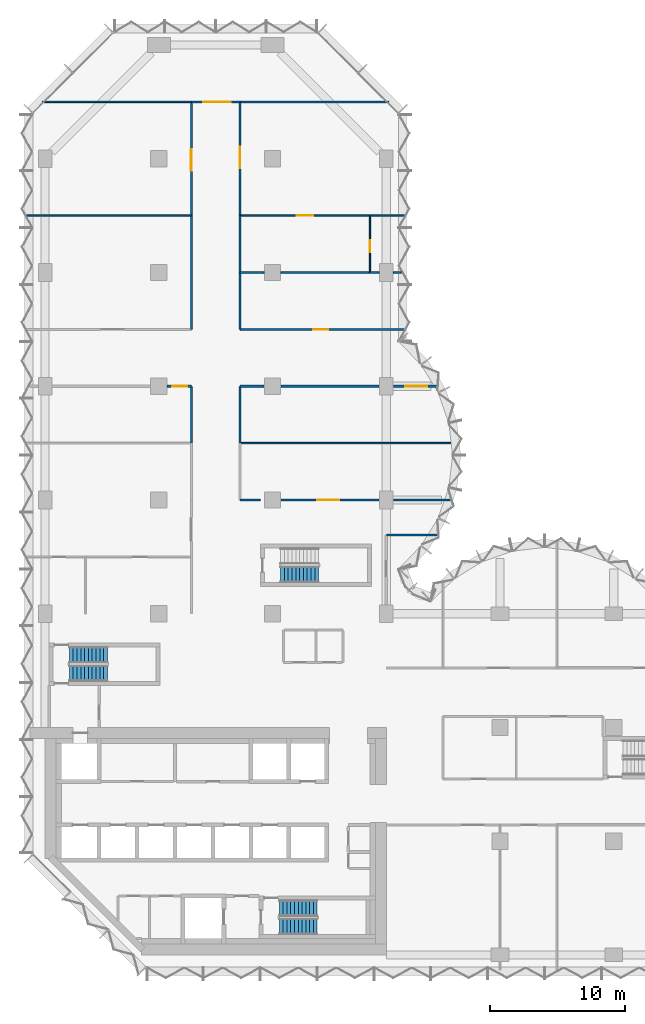
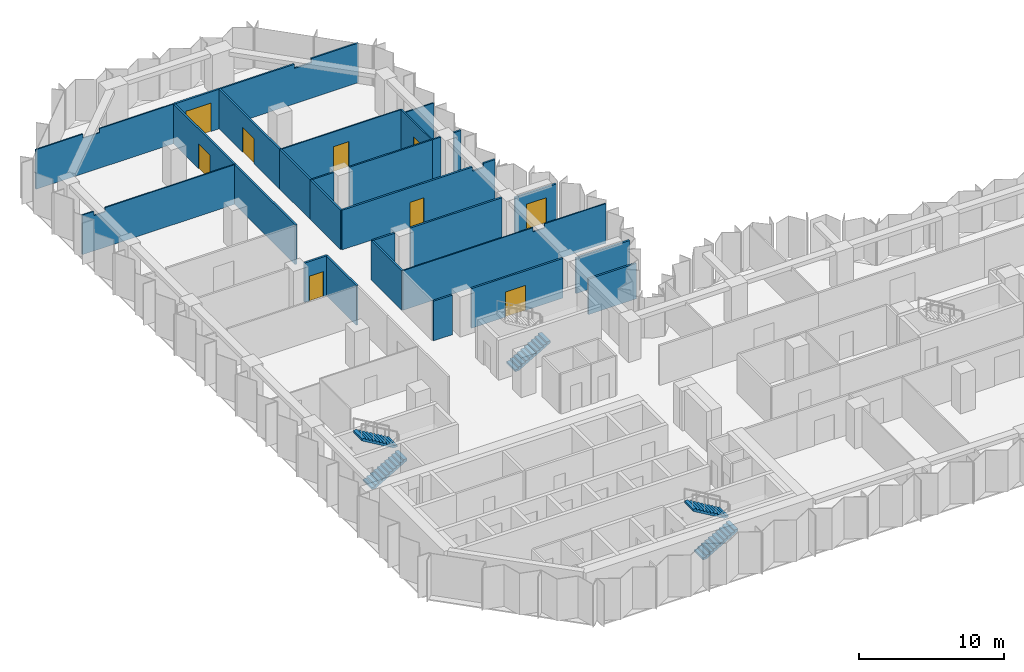
# One storey, part 10 of 13: 28 walls, 9 doors, 5 stair flights, 9 openings, 3 elements without a shape of their own.
"""IFC4 building model written with IfcOpenShell, lengths in metres."""

from ifc_helpers import new_model, si_unit, direction, frame, frame_2d, origin, place, context, subcontext, project, spatial, polyline, rectangle, outline, extrude, material, layer, layer_set, type_object, element, fill, aggregate, save


model = new_model("IFC4")

# Units and contexts
model_context = context("Model", 3, precision=1e-05, world=origin(), true_north=direction((0.0, 1.0)))
body_context = subcontext(model_context, "Body", "Model", "MODEL_VIEW")
ifc_project = project(units=[si_unit("LENGTHUNIT", "METRE"), si_unit("AREAUNIT", "SQUARE_METRE"), si_unit("VOLUMEUNIT", "CUBIC_METRE"), si_unit("PLANEANGLEUNIT", "RADIAN"), si_unit("MASSUNIT", "GRAM", prefix="KILO")], contexts=[model_context])

# Site, building, storey
site_placement = place(None, origin())
site = spatial("IfcSite", under=ifc_project, at=site_placement, CompositionType="ELEMENT")
building_placement = place(site_placement, origin())
building = spatial("IfcBuilding", under=site, at=building_placement, Name="Brevane Broadcast Tower", CompositionType="ELEMENT")
storey_placement = place(building_placement, frame((0.0, 0.0, 98.89990234375)))
storey = spatial("IfcBuildingStorey", under=building, at=storey_placement, Name="L23", CompositionType="ELEMENT", Elevation=98.89990234375)

# Walls
ifc_material_1 = material(Name="Gypsum board partition")
ifc_layer_1 = layer(ifc_material_1, 0.10009765625)
ifc_layer_set_1 = layer_set([ifc_layer_1], Name="PARTITION 100 STUD")
wall_type_1 = type_object("IfcWallType", Name="PARTITION 100 STUD", PredefinedType="PARTITIONING", material=ifc_layer_set_1)
wall_1_placement = place(storey_placement, frame((10.800048828125, 63.0, 0.0), z_axis=(0.0, 0.0, 1.0), x_axis=(-1.0, 0.0, 0.0)))
element("IfcWall", 1, at=wall_1_placement, inside=storey, type_object=wall_type_1, Name="Partition G06-046", PredefinedType="PARTITIONING", context=body_context, shape_type="SweptSolid", body=[
    extrude(outline(polyline([(0.0, 0.0), (11.0, 0.0), (11.0, 3.330078125), (7.265625, 3.330078125), (7.263671875, 2.97998046875), (5.936279296875, 2.97998046875), (5.934326171875, 3.330078125), (0.0, 3.330078125), (0.0, 0.0)])), frame((0.0, 0.050048828125, 0.0), z_axis=(0.0, -1.0, 0.0), x_axis=(1.0, 0.0, 0.0)), (0.0, 0.0, 1.0), 0.10009765625),
])
wall_2_placement = place(storey_placement, frame((-1.364990234375, 54.60009765625, 0.0), z_axis=(0.0, 0.0, 1.0), x_axis=(1.0, 0.0, 0.0)))
element("IfcWall", 2, at=wall_2_placement, inside=storey, type_object=wall_type_1, Name="Partition G06-056", PredefinedType="PARTITIONING", context=body_context, shape_type="SweptSolid", body=[
    extrude(outline(polyline([(0.0, 0.0), (12.1650390625, 0.0), (12.1650390625, 3.330078125), (1.81494140625, 3.330078125), (1.81298828125, 2.97998046875), (0.9169921875, 2.97998046875), (0.9150390625, 3.330078125), (0.264892578125, 3.330078125), (0.0, 3.330078125), (0.0, 0.0)])), frame((0.0, 0.050048828125, 0.0), z_axis=(0.0, -1.0, 0.0), x_axis=(1.0, 0.0, 0.0)), (0.0, 0.0, 1.0), 0.10009765625),
])
wall_3_placement = place(storey_placement, frame((14.39990234375, 37.800048828125, 0.0), z_axis=(0.0, 0.0, 1.0), x_axis=(1.0, 0.0, 0.0)))
element("IfcWall", 3, at=wall_3_placement, inside=storey, type_object=wall_type_1, Name="Partition G06-061", PredefinedType="PARTITIONING", context=body_context, shape_type="SweptSolid", body=[
    extrude(outline(polyline([(0.0, 0.0), (16.1259765625, 0.0), (16.1259765625, 3.330078125), (15.8427734375, 3.330078125), (11.25, 3.330078125), (11.248046875, 2.97998046875), (10.35205078125, 2.97998046875), (10.35009765625, 3.330078125), (0.0, 3.330078125), (0.0, 0.0)])), frame((0.0, 0.050048828125, 0.0), z_axis=(0.0, -1.0, 0.0), x_axis=(1.0, 0.0, 0.0)), (0.0, 0.0, 1.0), 0.10009765625),
])

# Wall, opening, door
wall_4_placement = place(storey_placement, frame((24.0, 54.60009765625, 0.0), z_axis=(0.0, 0.0, 1.0), x_axis=(-1.0, 0.0, 0.0)))
wall_4 = element("IfcWall", 4, at=wall_4_placement, inside=storey, type_object=wall_type_1, Name="Partition G06-066", PredefinedType="PARTITIONING", context=body_context, shape_type="SweptSolid", body=[
    extrude(rectangle(XDim=9.60009765625, YDim=0.10009765625, at=frame_2d((4.800048828125, 0.0))), origin(), (0.0, 0.0, 1.0), 3.330078125),
])
opening_1_placement = place(wall_4_placement, frame((4.199951171875, 0.0, 0.0)))
opening_1 = element("IfcOpeningElement", 5, at=opening_1_placement, cuts=wall_4, Name="Opening D13-022", PredefinedType="OPENING", context=body_context, shape_type="SweptSolid", body=[
    extrude(rectangle(XDim=1.199951171875, YDim=2.10009765625, at=frame_2d((0.60009765625, 1.050048828125))), frame((0.0, 0.06005859375, 0.0), z_axis=(0.0, -1.0, 0.0), x_axis=(1.0, 0.0, 0.0)), (0.0, 0.0, 1.0), 0.1201171875),
])
ifc_material_2 = material(Name="Timber door leaf", Category="wood")
door_type_1 = type_object("IfcDoorType", Name="DOOR SINGLE 1200 INTERNAL", OperationType="SINGLE_SWING_LEFT", PredefinedType="DOOR", material=ifc_material_2)
door_1_placement = place(opening_1_placement, origin())
door_1 = element("IfcDoor", 6, at=door_1_placement, inside=storey, type_object=door_type_1, Name="Door D13-022", OperationType="SINGLE_SWING_LEFT", OverallHeight=2.10009765625, OverallWidth=1.199951171875, PredefinedType="DOOR", context=body_context, shape_type="SweptSolid", body=[
    extrude(rectangle(XDim=1.199951171875, YDim=2.10009765625, at=frame_2d((0.60009765625, 1.050048828125))), frame((0.0, 0.02490234375, 0.0), z_axis=(0.0, -1.0, 0.0), x_axis=(1.0, 0.0, 0.0)), (0.0, 0.0, 1.0), 0.050048828125),
])
fill(opening_1, door_1)

# Wall
wall_5_placement = place(storey_placement, frame((26.56494140625, 54.60009765625, 0.0), z_axis=(0.0, 0.0, 1.0), x_axis=(-1.0, 0.0, 0.0)))
element("IfcWall", 7, at=wall_5_placement, inside=storey, type_object=wall_type_1, Name="Partition G06-067", PredefinedType="PARTITIONING", context=body_context, shape_type="SweptSolid", body=[
    extrude(rectangle(XDim=2.56494140625, YDim=0.10009765625, at=frame_2d((1.282470703125, 0.0))), origin(), (0.0, 0.0, 1.0), 2.97998046875),
])

# Wall, opening, door
wall_6_placement = place(storey_placement, frame((24.0, 54.60009765625, 0.0), z_axis=(0.0, 0.0, 1.0), x_axis=(0.0, -1.0, 0.0)))
wall_6 = element("IfcWall", 8, at=wall_6_placement, inside=storey, type_object=wall_type_1, Name="Partition G06-068", PredefinedType="PARTITIONING", context=body_context, shape_type="SweptSolid", body=[
    extrude(rectangle(XDim=4.2001953125, YDim=0.10009765625, at=frame_2d((2.10009765625, 0.0))), origin(), (0.0, 0.0, 1.0), 3.330078125),
])
opening_2_placement = place(wall_6_placement, frame((1.800048828125, 0.0, 0.0)))
opening_2 = element("IfcOpeningElement", 9, at=opening_2_placement, cuts=wall_6, Name="Opening D13-023", PredefinedType="OPENING", context=body_context, shape_type="SweptSolid", body=[
    extrude(rectangle(XDim=0.89990234375, YDim=2.10009765625, at=frame_2d((0.449951171875, 1.050048828125))), frame((0.0, 0.06005859375, 0.0), z_axis=(0.0, -1.0, 0.0), x_axis=(1.0, 0.0, 0.0)), (0.0, 0.0, 1.0), 0.1201171875),
])
door_type_2 = type_object("IfcDoorType", Name="DOOR SINGLE 900 INTERNAL", OperationType="SINGLE_SWING_LEFT", PredefinedType="DOOR", material=ifc_material_2)
door_2_placement = place(opening_2_placement, origin())
door_2 = element("IfcDoor", 10, at=door_2_placement, inside=storey, type_object=door_type_2, Name="Door D13-023", OperationType="SINGLE_SWING_LEFT", OverallHeight=2.10009765625, OverallWidth=0.89990234375, PredefinedType="DOOR", context=body_context, shape_type="SweptSolid", body=[
    extrude(rectangle(XDim=0.89990234375, YDim=2.10009765625, at=frame_2d((0.449951171875, 1.050048828125))), frame((0.0, 0.02490234375, 0.0), z_axis=(0.0, -1.0, 0.0), x_axis=(1.0, 0.0, 0.0)), (0.0, 0.0, 1.0), 0.050048828125),
])
fill(opening_2, door_2)

# Walls
ifc_layer_2 = layer(ifc_material_1, 0.125)
ifc_layer_set_2 = layer_set([ifc_layer_2], Name="PARTITION 125 ACOUSTIC")
wall_type_2 = type_object("IfcWallType", Name="PARTITION 125 ACOUSTIC", PredefinedType="PARTITIONING", material=ifc_layer_set_2)
wall_7_placement = place(storey_placement, frame((25.39990234375, 63.0, 0.0), z_axis=(0.0, 0.0, 1.0), x_axis=(-1.0, 0.0, 0.0)))
element("IfcWall", 11, at=wall_7_placement, inside=storey, type_object=wall_type_2, Name="Partition G06-047", PredefinedType="PARTITIONING", context=body_context, shape_type="SweptSolid", body=[
    extrude(outline(polyline([(0.0, 0.0), (11.0, 0.0), (11.0, 3.330078125), (5.078125, 3.330078125), (5.076171875, 2.97998046875), (3.723876953125, 2.97998046875), (3.721923828125, 3.330078125), (0.0, 3.330078125), (0.0, 0.0)])), frame((0.0, 0.0625, 0.0), z_axis=(0.0, -1.0, 0.0), x_axis=(1.0, 0.0, 0.0)), (0.0, 0.0, 1.0), 0.125),
])
wall_8_placement = place(storey_placement, frame((14.39990234375, 50.39990234375, 0.0), z_axis=(0.0, 0.0, 1.0), x_axis=(1.0, 0.0, 0.0)))
element("IfcWall", 12, at=wall_8_placement, inside=storey, type_object=wall_type_2, Name="Partition G06-062", PredefinedType="PARTITIONING", context=body_context, shape_type="SweptSolid", body=[
    extrude(rectangle(XDim=1.780029296875, YDim=0.125, at=frame_2d((0.89013671875, 0.0))), origin(), (0.0, 0.0, 1.0), 3.330078125),
])
wall_9_placement = place(storey_placement, frame((17.419921875, 50.39990234375, 0.0), z_axis=(0.0, 0.0, 1.0), x_axis=(1.0, 0.0, 0.0)))
element("IfcWall", 13, at=wall_9_placement, inside=storey, type_object=wall_type_2, Name="Partition G06-063", PredefinedType="PARTITIONING", context=body_context, shape_type="SweptSolid", body=[
    extrude(rectangle(XDim=6.580078125, YDim=0.125, at=frame_2d((3.2900390625, 0.0))), origin(), (0.0, 0.0, 1.0), 3.330078125),
])
wall_10_placement = place(storey_placement, frame((24.0, 50.39990234375, 0.0), z_axis=(0.0, 0.0, 1.0), x_axis=(1.0, 0.0, 0.0)))
element("IfcWall", 14, at=wall_10_placement, inside=storey, type_object=wall_type_2, Name="Partition G06-064", PredefinedType="PARTITIONING", context=body_context, shape_type="SweptSolid", body=[
    extrude(rectangle(XDim=0.679931640625, YDim=0.125, at=frame_2d((0.33984375, 0.0))), origin(), (0.0, 0.0, 1.0), 3.330078125),
])
wall_11_placement = place(storey_placement, frame((25.719970703125, 50.39990234375, 0.0), z_axis=(0.0, 0.0, 1.0), x_axis=(1.0, 0.0, 0.0)))
element("IfcWall", 15, at=wall_11_placement, inside=storey, type_object=wall_type_2, Name="Partition G06-065", PredefinedType="PARTITIONING", context=body_context, shape_type="SweptSolid", body=[
    extrude(rectangle(XDim=0.580078125, YDim=0.125, at=frame_2d((0.2900390625, 0.0))), origin(), (0.0, 0.0, 1.0), 3.330078125),
])
ifc_layer_3 = layer(ifc_material_1, 0.14990234375)
ifc_layer_set_3 = layer_set([ifc_layer_3], Name="PARTITION 150 EI 60")
wall_type_3 = type_object("IfcWallType", Name="PARTITION 150 EI 60", PredefinedType="PARTITIONING", material=ifc_layer_set_3)
wall_12_placement = place(storey_placement, frame((25.199951171875, 31.0, 0.0), z_axis=(0.0, 0.0, 1.0), x_axis=(1.0, 0.0, 0.0)))
element("IfcWall", 16, at=wall_12_placement, inside=storey, type_object=wall_type_3, Name="Partition G06-006", PredefinedType="PARTITIONING", context=body_context, shape_type="SweptSolid", body=[
    extrude(rectangle(XDim=3.80615234375, YDim=0.14990234375, at=frame_2d((1.903076171875, 0.0))), origin(), (0.0, 0.0, 1.0), 2.97998046875),
])
wall_13_placement = place(storey_placement, frame((14.39990234375, 33.60009765625, 0.0), z_axis=(0.0, 0.0, 1.0), x_axis=(1.0, 0.0, 0.0)))
element("IfcWall", 17, at=wall_13_placement, inside=storey, type_object=wall_type_3, Name="Partition G06-033", PredefinedType="PARTITIONING", context=body_context, shape_type="SweptSolid", body=[
    extrude(rectangle(XDim=1.5, YDim=0.14990234375, at=frame_2d((0.75, 0.0))), origin(), (0.0, 0.0, 1.0), 3.330078125),
])

# Wall, opening, door
wall_14_placement = place(storey_placement, frame((17.419921875, 33.60009765625, 0.0), z_axis=(0.0, 0.0, 1.0), x_axis=(1.0, 0.0, 0.0)))
wall_14 = element("IfcWall", 18, at=wall_14_placement, inside=storey, type_object=wall_type_3, Name="Partition G06-034", PredefinedType="PARTITIONING", context=body_context, shape_type="SweptSolid", body=[
    extrude(rectangle(XDim=7.260009765625, YDim=0.14990234375, at=frame_2d((3.6298828125, 0.0))), origin(), (0.0, 0.0, 1.0), 3.330078125),
])
opening_3_placement = place(wall_14_placement, frame((2.699951171875, 0.0, 0.0)))
opening_3 = element("IfcOpeningElement", 19, at=opening_3_placement, cuts=wall_14, Name="Opening D13-018", PredefinedType="OPENING", context=body_context, shape_type="SweptSolid", body=[
    extrude(rectangle(XDim=1.60009765625, YDim=2.10009765625, at=frame_2d((0.800048828125, 1.050048828125))), frame((0.0, 0.0849609375, 0.0), z_axis=(0.0, -1.0, 0.0), x_axis=(1.0, 0.0, 0.0)), (0.0, 0.0, 1.0), 0.169921875),
])
ifc_material_3 = material(Name="Fire-rated timber door leaf", Category="wood")
door_type_3 = type_object("IfcDoorType", Name="DOOR DOUBLE 1600 FD30S", OperationType="DOUBLE_DOOR_SINGLE_SWING", PredefinedType="DOOR", material=ifc_material_3)
door_3_placement = place(opening_3_placement, origin())
door_3 = element("IfcDoor", 20, at=door_3_placement, inside=storey, type_object=door_type_3, Name="Door D13-018", OperationType="DOUBLE_DOOR_SINGLE_SWING", OverallHeight=2.10009765625, OverallWidth=1.60009765625, PredefinedType="DOOR", context=body_context, shape_type="SweptSolid", body=[
    extrude(rectangle(XDim=1.60009765625, YDim=2.10009765625, at=frame_2d((0.800048828125, 1.050048828125))), frame((0.0, 0.02490234375, 0.0), z_axis=(0.0, -1.0, 0.0), x_axis=(1.0, 0.0, 0.0)), (0.0, 0.0, 1.0), 0.050048828125),
])
fill(opening_3, door_3)

# Wall
wall_15_placement = place(storey_placement, frame((25.719970703125, 33.60009765625, 0.0), z_axis=(0.0, 0.0, 1.0), x_axis=(1.0, 0.0, 0.0)))
element("IfcWall", 21, at=wall_15_placement, inside=storey, type_object=wall_type_3, Name="Partition G06-035", PredefinedType="PARTITIONING", context=body_context, shape_type="SweptSolid", body=[
    extrude(rectangle(XDim=4.268310546875, YDim=0.14990234375, at=frame_2d((2.13427734375, 0.0))), origin(), (0.0, 0.0, 1.0), 2.97998046875),
])

# Wall, opening, door
wall_16_placement = place(storey_placement, frame((10.800048828125, 63.0, 0.0), z_axis=(0.0, 0.0, 1.0), x_axis=(1.0, 0.0, 0.0)))
wall_16 = element("IfcWall", 22, at=wall_16_placement, inside=storey, type_object=wall_type_3, Name="Partition G06-036", PredefinedType="PARTITIONING", context=body_context, shape_type="SweptSolid", body=[
    extrude(rectangle(XDim=3.599853515625, YDim=0.14990234375, at=frame_2d((1.7998046875, 0.0))), origin(), (0.0, 0.0, 1.0), 3.330078125),
])
opening_4_placement = place(wall_16_placement, frame((0.89990234375, 0.0, 0.0)))
opening_4 = element("IfcOpeningElement", 23, at=opening_4_placement, cuts=wall_16, Name="Opening D13-011", PredefinedType="OPENING", context=body_context, shape_type="SweptSolid", body=[
    extrude(rectangle(XDim=2.0, YDim=2.39990234375, at=frame_2d((1.0, 1.199951171875))), frame((0.0, 0.0849609375, 0.0), z_axis=(0.0, -1.0, 0.0), x_axis=(1.0, 0.0, 0.0)), (0.0, 0.0, 1.0), 0.169921875),
])
door_type_4 = type_object("IfcDoorType", Name="DOOR DOUBLE 2000 FD30S", OperationType="DOUBLE_DOOR_SINGLE_SWING", PredefinedType="DOOR", material=ifc_material_3)
door_4_placement = place(opening_4_placement, origin())
door_4 = element("IfcDoor", 24, at=door_4_placement, inside=storey, type_object=door_type_4, Name="Door D13-011", OperationType="DOUBLE_DOOR_SINGLE_SWING", OverallHeight=2.39990234375, OverallWidth=2.0, PredefinedType="DOOR", context=body_context, shape_type="SweptSolid", body=[
    extrude(rectangle(XDim=2.0, YDim=2.39990234375, at=frame_2d((1.0, 1.199951171875))), frame((0.0, 0.02490234375, 0.0), z_axis=(0.0, -1.0, 0.0), x_axis=(1.0, 0.0, 0.0)), (0.0, 0.0, 1.0), 0.050048828125),
])
fill(opening_4, door_4)

# Walls
wall_17_placement = place(storey_placement, frame((10.800048828125, 37.800048828125, 0.0), z_axis=(0.0, 0.0, 1.0), x_axis=(0.0, 1.0, 0.0)))
element("IfcWall", 25, at=wall_17_placement, inside=storey, type_object=wall_type_3, Name="Partition G06-038", PredefinedType="PARTITIONING", context=body_context, shape_type="SweptSolid", body=[
    extrude(rectangle(XDim=4.199951171875, YDim=0.14990234375, at=frame_2d((2.10009765625, 0.0))), origin(), (0.0, 0.0, 1.0), 3.330078125),
])
wall_18_placement = place(storey_placement, frame((10.800048828125, 46.199951171875, 0.0), z_axis=(0.0, 0.0, 1.0), x_axis=(0.0, 1.0, 0.0)))
element("IfcWall", 26, at=wall_18_placement, inside=storey, type_object=wall_type_3, Name="Partition G06-039", PredefinedType="PARTITIONING", context=body_context, shape_type="SweptSolid", body=[
    extrude(rectangle(XDim=8.400146484375, YDim=0.14990234375, at=frame_2d((4.2001953125, 0.0))), origin(), (0.0, 0.0, 1.0), 3.330078125),
])

# Wall, opening, door
wall_19_placement = place(storey_placement, frame((10.800048828125, 54.60009765625, 0.0), z_axis=(0.0, 0.0, 1.0), x_axis=(0.0, 1.0, 0.0)))
wall_19 = element("IfcWall", 27, at=wall_19_placement, inside=storey, type_object=wall_type_3, Name="Partition G06-040", PredefinedType="PARTITIONING", context=body_context, shape_type="SweptSolid", body=[
    extrude(rectangle(XDim=8.39990234375, YDim=0.14990234375, at=frame_2d((4.199951171875, 0.0))), origin(), (0.0, 0.0, 1.0), 3.330078125),
])
opening_5_placement = place(wall_19_placement, frame((3.300048828125, 0.0, 0.0)))
opening_5 = element("IfcOpeningElement", 28, at=opening_5_placement, cuts=wall_19, Name="Opening D13-017", PredefinedType="OPENING", context=body_context, shape_type="SweptSolid", body=[
    extrude(rectangle(XDim=1.60009765625, YDim=2.10009765625, at=frame_2d((0.800048828125, 1.050048828125))), frame((0.0, 0.0849609375, 0.0), z_axis=(0.0, -1.0, 0.0), x_axis=(1.0, 0.0, 0.0)), (0.0, 0.0, 1.0), 0.169921875),
])
door_5_placement = place(opening_5_placement, origin())
door_5 = element("IfcDoor", 29, at=door_5_placement, inside=storey, type_object=door_type_3, Name="Door D13-017", OperationType="DOUBLE_DOOR_SINGLE_SWING", OverallHeight=2.10009765625, OverallWidth=1.60009765625, PredefinedType="DOOR", context=body_context, shape_type="SweptSolid", body=[
    extrude(rectangle(XDim=1.60009765625, YDim=2.10009765625, at=frame_2d((0.800048828125, 1.050048828125))), frame((0.0, 0.02490234375, 0.0), z_axis=(0.0, -1.0, 0.0), x_axis=(1.0, 0.0, 0.0)), (0.0, 0.0, 1.0), 0.050048828125),
])
fill(opening_5, door_5)

# Walls
for number, where, z_axis, x_axis, name in (
    (30, (14.39990234375, 42.0, 0.0), (0.0, 0.0, 1.0), (0.0, -1.0, 0.0), "Partition G06-042"),
    (31, (14.39990234375, 50.39990234375, 0.0), (0.0, 0.0, 1.0), (0.0, -1.0, 0.0), "Partition G06-043"),
):
    element("IfcWall", number, at=place(storey_placement, frame(where, z_axis=z_axis, x_axis=x_axis)), inside=storey, type_object=wall_type_3, Name=name, PredefinedType="PARTITIONING", context=body_context, shape_type="SweptSolid", body=[
        extrude(rectangle(XDim=4.199951171875, YDim=0.14990234375, at=frame_2d((2.10009765625, 0.0))), origin(), (0.0, 0.0, 1.0), 3.330078125),
    ])

# Wall, opening, door
wall_20_placement = place(storey_placement, frame((14.39990234375, 63.0, 0.0), z_axis=(0.0, 0.0, 1.0), x_axis=(0.0, -1.0, 0.0)))
wall_20 = element("IfcWall", 32, at=wall_20_placement, inside=storey, type_object=wall_type_3, Name="Partition G06-044", PredefinedType="PARTITIONING", context=body_context, shape_type="SweptSolid", body=[
    extrude(rectangle(XDim=8.39990234375, YDim=0.14990234375, at=frame_2d((4.199951171875, 0.0))), origin(), (0.0, 0.0, 1.0), 3.330078125),
])
opening_6_placement = place(wall_20_placement, frame((3.300048828125, 0.0, 0.0)))
opening_6 = element("IfcOpeningElement", 33, at=opening_6_placement, cuts=wall_20, Name="Opening D13-021", PredefinedType="OPENING", context=body_context, shape_type="SweptSolid", body=[
    extrude(rectangle(XDim=1.60009765625, YDim=2.10009765625, at=frame_2d((0.800048828125, 1.050048828125))), frame((0.0, 0.0849609375, 0.0), z_axis=(0.0, -1.0, 0.0), x_axis=(1.0, 0.0, 0.0)), (0.0, 0.0, 1.0), 0.169921875),
])
door_6_placement = place(opening_6_placement, origin())
door_6 = element("IfcDoor", 34, at=door_6_placement, inside=storey, type_object=door_type_3, Name="Door D13-021", OperationType="DOUBLE_DOOR_SINGLE_SWING", OverallHeight=2.10009765625, OverallWidth=1.60009765625, PredefinedType="DOOR", context=body_context, shape_type="SweptSolid", body=[
    extrude(rectangle(XDim=1.60009765625, YDim=2.10009765625, at=frame_2d((0.800048828125, 1.050048828125))), frame((0.0, 0.02490234375, 0.0), z_axis=(0.0, -1.0, 0.0), x_axis=(1.0, 0.0, 0.0)), (0.0, 0.0, 1.0), 0.050048828125),
])
fill(opening_6, door_6)

# Wall
wall_21_placement = place(storey_placement, frame((14.39990234375, 54.60009765625, 0.0), z_axis=(0.0, 0.0, 1.0), x_axis=(0.0, -1.0, 0.0)))
element("IfcWall", 35, at=wall_21_placement, inside=storey, type_object=wall_type_3, Name="Partition G06-045", PredefinedType="PARTITIONING", context=body_context, shape_type="SweptSolid", body=[
    extrude(rectangle(XDim=4.2001953125, YDim=0.14990234375, at=frame_2d((2.10009765625, 0.0))), origin(), (0.0, 0.0, 1.0), 3.330078125),
])

# Wall, opening, door
wall_22_placement = place(storey_placement, frame((10.800048828125, 42.0, 0.0), z_axis=(0.0, 0.0, 1.0), x_axis=(-1.0, 0.0, 0.0)))
wall_22 = element("IfcWall", 36, at=wall_22_placement, inside=storey, type_object=wall_type_3, Name="Partition G06-048", PredefinedType="PARTITIONING", context=body_context, shape_type="SweptSolid", body=[
    extrude(rectangle(XDim=1.780029296875, YDim=0.14990234375, at=frame_2d((0.89013671875, 0.0))), origin(), (0.0, 0.0, 1.0), 3.330078125),
])
opening_7_placement = place(wall_22_placement, frame((0.300048828125, 0.0, 0.0)))
opening_7 = element("IfcOpeningElement", 37, at=opening_7_placement, cuts=wall_22, Name="Opening D13-015", PredefinedType="OPENING", context=body_context, shape_type="SweptSolid", body=[
    extrude(rectangle(XDim=1.10009765625, YDim=2.10009765625, at=frame_2d((0.550048828125, 1.050048828125))), frame((0.0, 0.0849609375, 0.0), z_axis=(0.0, -1.0, 0.0), x_axis=(1.0, 0.0, 0.0)), (0.0, 0.0, 1.0), 0.169921875),
])
door_type_5 = type_object("IfcDoorType", Name="DOOR SINGLE 1100 FD30S", OperationType="SINGLE_SWING_LEFT", PredefinedType="DOOR", material=ifc_material_3)
door_7_placement = place(opening_7_placement, origin())
door_7 = element("IfcDoor", 38, at=door_7_placement, inside=storey, type_object=door_type_5, Name="Door D13-015", OperationType="SINGLE_SWING_LEFT", OverallHeight=2.10009765625, OverallWidth=1.10009765625, PredefinedType="DOOR", context=body_context, shape_type="SweptSolid", body=[
    extrude(rectangle(XDim=1.10009765625, YDim=2.10009765625, at=frame_2d((0.550048828125, 1.050048828125))), frame((0.0, 0.02490234375, 0.0), z_axis=(0.0, -1.0, 0.0), x_axis=(1.0, 0.0, 0.0)), (0.0, 0.0, 1.0), 0.050048828125),
])
fill(opening_7, door_7)

wall_23_placement = place(storey_placement, frame((29.011474609375, 42.0, 0.0), z_axis=(0.0, 0.0, 1.0), x_axis=(-1.0, 0.0, 0.0)))
wall_23 = element("IfcWall", 39, at=wall_23_placement, inside=storey, type_object=wall_type_3, Name="Partition G06-057", PredefinedType="PARTITIONING", context=body_context, shape_type="SweptSolid", body=[
    extrude(rectangle(XDim=3.29150390625, YDim=0.14990234375, at=frame_2d((1.645751953125, 0.0))), origin(), (0.0, 0.0, 1.0), 2.97998046875),
])
opening_8_placement = place(wall_23_placement, frame((0.800048828125, 0.0, 0.0)))
opening_8 = element("IfcOpeningElement", 40, at=opening_8_placement, cuts=wall_23, Name="Opening D13-019", PredefinedType="OPENING", context=body_context, shape_type="SweptSolid", body=[
    extrude(rectangle(XDim=1.60009765625, YDim=2.10009765625, at=frame_2d((0.800048828125, 1.050048828125))), frame((0.0, 0.0849609375, 0.0), z_axis=(0.0, -1.0, 0.0), x_axis=(1.0, 0.0, 0.0)), (0.0, 0.0, 1.0), 0.169921875),
])
door_8_placement = place(opening_8_placement, origin())
door_8 = element("IfcDoor", 41, at=door_8_placement, inside=storey, type_object=door_type_3, Name="Door D13-019", OperationType="DOUBLE_DOOR_SINGLE_SWING", OverallHeight=2.10009765625, OverallWidth=1.60009765625, PredefinedType="DOOR", context=body_context, shape_type="SweptSolid", body=[
    extrude(rectangle(XDim=1.60009765625, YDim=2.10009765625, at=frame_2d((0.800048828125, 1.050048828125))), frame((0.0, 0.02490234375, 0.0), z_axis=(0.0, -1.0, 0.0), x_axis=(1.0, 0.0, 0.0)), (0.0, 0.0, 1.0), 0.050048828125),
])
fill(opening_8, door_8)

# Walls
wall_24_placement = place(storey_placement, frame((24.679931640625, 42.0, 0.0), z_axis=(0.0, 0.0, 1.0), x_axis=(-1.0, 0.0, 0.0)))
element("IfcWall", 42, at=wall_24_placement, inside=storey, type_object=wall_type_3, Name="Partition G06-058", PredefinedType="PARTITIONING", context=body_context, shape_type="SweptSolid", body=[
    extrude(rectangle(XDim=7.260009765625, YDim=0.14990234375, at=frame_2d((3.6298828125, 0.0))), origin(), (0.0, 0.0, 1.0), 3.330078125),
])
wall_25_placement = place(storey_placement, frame((16.179931640625, 42.0, 0.0), z_axis=(0.0, 0.0, 1.0), x_axis=(-1.0, 0.0, 0.0)))
element("IfcWall", 43, at=wall_25_placement, inside=storey, type_object=wall_type_3, Name="Partition G06-059", PredefinedType="PARTITIONING", context=body_context, shape_type="SweptSolid", body=[
    extrude(rectangle(XDim=1.780029296875, YDim=0.14990234375, at=frame_2d((0.89013671875, 0.0))), origin(), (0.0, 0.0, 1.0), 3.330078125),
])

# Wall, opening, door
wall_26_placement = place(storey_placement, frame((14.39990234375, 46.199951171875, 0.0), z_axis=(0.0, 0.0, 1.0), x_axis=(1.0, 0.0, 0.0)))
wall_26 = element("IfcWall", 44, at=wall_26_placement, inside=storey, type_object=wall_type_3, Name="Partition G06-060", PredefinedType="PARTITIONING", context=body_context, shape_type="SweptSolid", body=[
    extrude(outline(polyline([(0.0, 0.0), (12.1650390625, 0.0), (12.1650390625, 3.330078125), (11.89990234375, 3.330078125), (11.25, 3.330078125), (11.248046875, 2.97998046875), (10.35205078125, 2.97998046875), (10.35009765625, 3.330078125), (0.0, 3.330078125), (0.0, 0.0)])), frame((0.0, 0.074951171875, 0.0), z_axis=(0.0, -1.0, 0.0), x_axis=(1.0, 0.0, 0.0)), (0.0, 0.0, 1.0), 0.14990234375),
])
opening_9_placement = place(wall_26_placement, frame((5.39990234375, 0.0, 0.0)))
opening_9 = element("IfcOpeningElement", 45, at=opening_9_placement, cuts=wall_26, Name="Opening D13-020", PredefinedType="OPENING", context=body_context, shape_type="SweptSolid", body=[
    extrude(rectangle(XDim=1.10009765625, YDim=2.10009765625, at=frame_2d((0.550048828125, 1.050048828125))), frame((0.0, 0.0849609375, 0.0), z_axis=(0.0, -1.0, 0.0), x_axis=(1.0, 0.0, 0.0)), (0.0, 0.0, 1.0), 0.169921875),
])
door_9_placement = place(opening_9_placement, origin())
door_9 = element("IfcDoor", 46, at=door_9_placement, inside=storey, type_object=door_type_5, Name="Door D13-020", OperationType="SINGLE_SWING_LEFT", OverallHeight=2.10009765625, OverallWidth=1.10009765625, PredefinedType="DOOR", context=body_context, shape_type="SweptSolid", body=[
    extrude(rectangle(XDim=1.10009765625, YDim=2.10009765625, at=frame_2d((0.550048828125, 1.050048828125))), frame((0.0, 0.02490234375, 0.0), z_axis=(0.0, -1.0, 0.0), x_axis=(1.0, 0.0, 0.0)), (0.0, 0.0, 1.0), 0.050048828125),
])
fill(opening_9, door_9)

# Stair, stair flights
ifc_material_4 = material(Name="Concrete C50/60", Category="concrete")
stair_type = type_object("IfcStairType", Name="Exit stair 22 risers", PredefinedType="HALF_TURN_STAIR", material=ifc_material_4)
stair_1_placement = place(storey_placement, origin())
stair_1 = element("IfcStair", 47, at=stair_1_placement, inside=storey, type_object=stair_type, Name="L23 Exit stair ST-1", PredefinedType="HALF_TURN_STAIR")
stair_flight_type = type_object("IfcStairFlightType", Name="Exit stair flight 22 risers", PredefinedType="STRAIGHT", material=ifc_material_4)
stair_flight_1_placement = place(storey_placement, frame((1.800048828125, 20.800048828125, 0.0), z_axis=(0.0, 0.0, 1.0), x_axis=(1.0, 0.0, 0.0)))
stair_flight_1 = element("IfcStairFlight", 48, at=stair_flight_1_placement, type_object=stair_flight_type, Name="ST-1 flight 1", NumberOfRisers=11, NumberOfTreads=10, PredefinedType="STRAIGHT", RiserHeight=0.163636364, TreadLength=0.28, context=body_context, shape_type="SweptSolid", body=[
    extrude(outline(polyline([(0.0, 0.0), (0.0, 0.16357421875), (0.280029296875, 0.16357421875), (0.280029296875, 0.327392578125), (0.56005859375, 0.327392578125), (0.56005859375, 0.490966796875), (0.840087890625, 0.490966796875), (0.840087890625, 0.654541015625), (1.1201171875, 0.654541015625), (1.1201171875, 0.818115234375), (1.39990234375, 0.818115234375), (1.39990234375, 0.98193359375), (1.679931640625, 0.98193359375), (1.679931640625, 1.1455078125), (1.9599609375, 1.1455078125), (1.9599609375, 1.30908203125), (2.239990234375, 1.30908203125), (2.239990234375, 1.47265625), (2.52001953125, 1.47265625), (2.52001953125, 1.636474609375), (2.800048828125, 1.636474609375), (2.800048828125, 1.800048828125), (2.800048828125, 1.462646484375), (0.297119140625, 0.0), (0.0, 0.0)])), frame((0.0, 0.60009765625, 0.0), z_axis=(0.0, -1.0, 0.0), x_axis=(1.0, 0.0, 0.0)), (0.0, 0.0, 1.0), 1.199951171875),
])
stair_flight_2_placement = place(storey_placement, frame((4.60009765625, 22.14990234375, 1.800048828125), z_axis=(0.0, 0.0, 1.0), x_axis=(-1.0, 0.0, 0.0)))
stair_flight_2 = element("IfcStairFlight", 49, at=stair_flight_2_placement, type_object=stair_flight_type, Name="ST-1 flight 2", NumberOfRisers=11, NumberOfTreads=10, PredefinedType="STRAIGHT", RiserHeight=0.163636364, TreadLength=0.28, context=body_context, shape_type="SweptSolid", body=[
    extrude(outline(polyline([(0.0, 0.0), (0.0, 0.16357421875), (0.280029296875, 0.16357421875), (0.280029296875, 0.327392578125), (0.56005859375, 0.327392578125), (0.56005859375, 0.490966796875), (0.840087890625, 0.490966796875), (0.840087890625, 0.654541015625), (1.1201171875, 0.654541015625), (1.1201171875, 0.818115234375), (1.39990234375, 0.818115234375), (1.39990234375, 0.98193359375), (1.679931640625, 0.98193359375), (1.679931640625, 1.1455078125), (1.9599609375, 1.1455078125), (1.9599609375, 1.30908203125), (2.239990234375, 1.30908203125), (2.239990234375, 1.47265625), (2.52001953125, 1.47265625), (2.52001953125, 1.636474609375), (2.800048828125, 1.636474609375), (2.800048828125, 1.800048828125), (2.800048828125, 1.462646484375), (0.297119140625, 0.0), (0.0, 0.0)])), frame((0.0, 0.60009765625, 0.0), z_axis=(0.0, -1.0, 0.0), x_axis=(1.0, 0.0, 0.0)), (0.0, 0.0, 1.0), 1.199951171875),
])
aggregate(stair_1, [stair_flight_1, stair_flight_2])

stair_2_placement = place(storey_placement, origin())
stair_2 = element("IfcStair", 50, at=stair_2_placement, inside=storey, type_object=stair_type, Name="L23 Exit stair ST-2", PredefinedType="HALF_TURN_STAIR")
stair_flight_3_placement = place(storey_placement, frame((17.300048828125, 2.10009765625, 0.0), z_axis=(0.0, 0.0, 1.0), x_axis=(1.0, 0.0, 0.0)))
stair_flight_3 = element("IfcStairFlight", 51, at=stair_flight_3_placement, type_object=stair_flight_type, Name="ST-2 flight 1", NumberOfRisers=11, NumberOfTreads=10, PredefinedType="STRAIGHT", RiserHeight=0.163636364, TreadLength=0.28, context=body_context, shape_type="SweptSolid", body=[
    extrude(outline(polyline([(0.0, 0.0), (0.0, 0.16357421875), (0.280029296875, 0.16357421875), (0.280029296875, 0.327392578125), (0.56005859375, 0.327392578125), (0.56005859375, 0.490966796875), (0.840087890625, 0.490966796875), (0.840087890625, 0.654541015625), (1.1201171875, 0.654541015625), (1.1201171875, 0.818115234375), (1.39990234375, 0.818115234375), (1.39990234375, 0.98193359375), (1.679931640625, 0.98193359375), (1.679931640625, 1.1455078125), (1.9599609375, 1.1455078125), (1.9599609375, 1.30908203125), (2.239990234375, 1.30908203125), (2.239990234375, 1.47265625), (2.52001953125, 1.47265625), (2.52001953125, 1.636474609375), (2.800048828125, 1.636474609375), (2.800048828125, 1.800048828125), (2.800048828125, 1.462646484375), (0.297119140625, 0.0), (0.0, 0.0)])), frame((0.0, 0.60009765625, 0.0), z_axis=(0.0, -1.0, 0.0), x_axis=(1.0, 0.0, 0.0)), (0.0, 0.0, 1.0), 1.199951171875),
])
stair_flight_4_placement = place(storey_placement, frame((20.10009765625, 3.449951171875, 1.800048828125), z_axis=(0.0, 0.0, 1.0), x_axis=(-1.0, 0.0, 0.0)))
stair_flight_4 = element("IfcStairFlight", 52, at=stair_flight_4_placement, type_object=stair_flight_type, Name="ST-2 flight 2", NumberOfRisers=11, NumberOfTreads=10, PredefinedType="STRAIGHT", RiserHeight=0.163636364, TreadLength=0.28, context=body_context, shape_type="SweptSolid", body=[
    extrude(outline(polyline([(0.0, 0.0), (0.0, 0.16357421875), (0.280029296875, 0.16357421875), (0.280029296875, 0.327392578125), (0.56005859375, 0.327392578125), (0.56005859375, 0.490966796875), (0.840087890625, 0.490966796875), (0.840087890625, 0.654541015625), (1.1201171875, 0.654541015625), (1.1201171875, 0.818115234375), (1.39990234375, 0.818115234375), (1.39990234375, 0.98193359375), (1.679931640625, 0.98193359375), (1.679931640625, 1.1455078125), (1.9599609375, 1.1455078125), (1.9599609375, 1.30908203125), (2.239990234375, 1.30908203125), (2.239990234375, 1.47265625), (2.52001953125, 1.47265625), (2.52001953125, 1.636474609375), (2.800048828125, 1.636474609375), (2.800048828125, 1.800048828125), (2.800048828125, 1.462646484375), (0.297119140625, 0.0), (0.0, 0.0)])), frame((0.0, 0.60009765625, 0.0), z_axis=(0.0, -1.0, 0.0), x_axis=(1.0, 0.0, 0.0)), (0.0, 0.0, 1.0), 1.199951171875),
])
aggregate(stair_2, [stair_flight_3, stair_flight_4])

# Stair, stair flight
stair_3_placement = place(storey_placement, origin())
stair_3 = element("IfcStair", 53, at=stair_3_placement, inside=storey, type_object=stair_type, Name="L23 Exit stair ST-3", PredefinedType="HALF_TURN_STAIR")
stair_flight_5_placement = place(storey_placement, frame((17.39990234375, 28.10009765625, 0.0), z_axis=(0.0, 0.0, 1.0), x_axis=(1.0, 0.0, 0.0)))
stair_flight_5 = element("IfcStairFlight", 54, at=stair_flight_5_placement, type_object=stair_flight_type, Name="ST-3 flight 1", NumberOfRisers=11, NumberOfTreads=10, PredefinedType="STRAIGHT", RiserHeight=0.163636364, TreadLength=0.28, context=body_context, shape_type="SweptSolid", body=[
    extrude(outline(polyline([(0.0, 0.0), (0.0, 0.16357421875), (0.280029296875, 0.16357421875), (0.280029296875, 0.327392578125), (0.56005859375, 0.327392578125), (0.56005859375, 0.490966796875), (0.840087890625, 0.490966796875), (0.840087890625, 0.654541015625), (1.1201171875, 0.654541015625), (1.1201171875, 0.818115234375), (1.39990234375, 0.818115234375), (1.39990234375, 0.98193359375), (1.679931640625, 0.98193359375), (1.679931640625, 1.1455078125), (1.9599609375, 1.1455078125), (1.9599609375, 1.30908203125), (2.239990234375, 1.30908203125), (2.239990234375, 1.47265625), (2.52001953125, 1.47265625), (2.52001953125, 1.636474609375), (2.800048828125, 1.636474609375), (2.800048828125, 1.800048828125), (2.800048828125, 1.462646484375), (0.297119140625, 0.0), (0.0, 0.0)])), frame((0.0, 0.60009765625, 0.0), z_axis=(0.0, -1.0, 0.0), x_axis=(1.0, 0.0, 0.0)), (0.0, 0.0, 1.0), 1.199951171875),
])
aggregate(stair_3, [stair_flight_5])

save(model, "model.ifc")
